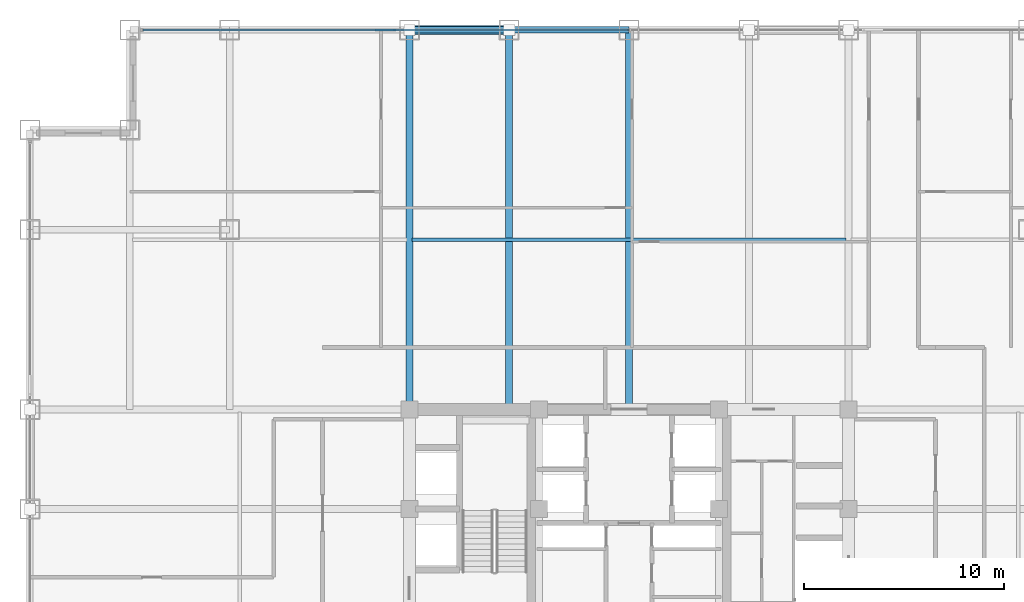
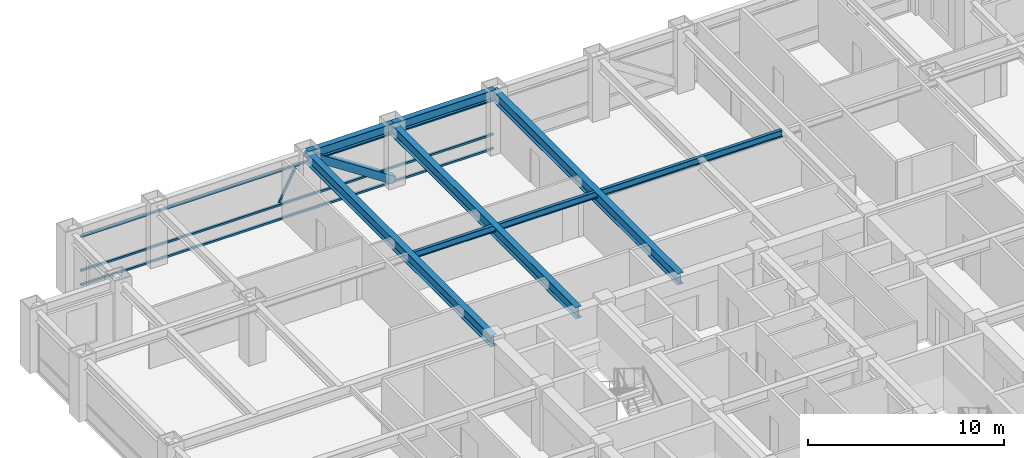
# One storey, part 15 of 25: 6 beams, 5 members, 1 element without a shape of its own.
"""IFC4 building model written with IfcOpenShell, lengths in metres."""

import ifcopenshell
import ifcopenshell.guid

model = None  # the IFC model being written
_history = None  # IfcOwnerHistory: only IFC2X3 demands one
_inside = {}  # id of a spatial element -> (the spatial element, [elements in it])
_under = {}  # id of a project, library or spatial element -> (it, [spatial elements below it])
_declared = {}  # id of a project -> (the project, [libraries it declares])
_typed = {}  # id of a type object -> (the type object, [elements of that type])
_made_of = {}  # id of a material, layer set ... -> (it, [elements and type objects made of it])


def new_model(schema):
    """Start an empty IFC model of exactly this schema.

    Asked for "IFC4X3", IfcOpenShell would pick the latest addendum, in which some entities
    have other attributes; the version numbers below select the first issue.
    IFC2X3 requires an IfcOwnerHistory on every rooted entity: one is made here for all.
    """
    global model, _history
    if schema == "IFC4X3":
        model = ifcopenshell.file(schema_version=(4, 3, 0, 0))
    else:
        model = ifcopenshell.file(schema=schema)
    _inside.clear()
    _under.clear()
    _declared.clear()
    _typed.clear()
    _made_of.clear()
    _history = None
    if model.schema == "IFC2X3":
        org = make("IfcOrganization", Name="unknown")
        user = make(
            "IfcPersonAndOrganization",
            ThePerson=make("IfcPerson", FamilyName="unknown"),
            TheOrganization=org,
        )
        app = make(
            "IfcApplication",
            ApplicationDeveloper=org,
            Version="unknown",
            ApplicationFullName="unknown",
            ApplicationIdentifier="unknown",
        )
        _history = make(
            "IfcOwnerHistory",
            OwningUser=user,
            OwningApplication=app,
            ChangeAction="ADDED",
            CreationDate=0,
        )
    return model


def make(cls, **values):
    """One entity of the class cls with the attributes given. An attribute that is None is left unset."""
    return model.create_entity(
        cls, **{name: value for name, value in values.items() if value is not None}
    )


def rooted(cls, **values):
    """An entity with a GlobalId (a new one), such as an element, a storey or a relation."""
    return make(cls, GlobalId=ifcopenshell.guid.new(), OwnerHistory=_history, **values)


def si_unit(unit_type, name, prefix=None):
    """IfcSIUnit, for example si_unit("LENGTHUNIT", "METRE", prefix="MILLI")."""
    return make("IfcSIUnit", UnitType=unit_type, Prefix=prefix, Name=name)


def assignment(units):
    """IfcUnitAssignment: the units of a project."""
    return None if units is None else make("IfcUnitAssignment", Units=units)


def point(xyz):
    """IfcCartesianPoint."""
    return None if xyz is None else make("IfcCartesianPoint", Coordinates=xyz)


def direction(xyz):
    """IfcDirection."""
    return None if xyz is None else make("IfcDirection", DirectionRatios=xyz)


def frame(location, z_axis=None, x_axis=None):
    """IfcAxis2Placement3D, a coordinate frame: its origin and axes. An axis left out is left unset."""
    return make(
        "IfcAxis2Placement3D",
        Location=point(location),
        Axis=direction(z_axis),
        RefDirection=direction(x_axis),
    )


def frame_2d(location, x_axis=None):
    """IfcAxis2Placement2D, a coordinate frame in the plane: its origin and x axis."""
    return make(
        "IfcAxis2Placement2D", Location=point(location), RefDirection=direction(x_axis)
    )


def origin():
    """The frame at (0, 0, 0) with its axes left unset."""
    return frame((0.0, 0.0, 0.0))


def origin_2d():
    """The frame at (0, 0) in the plane with its x axis left unset."""
    return frame_2d((0.0, 0.0))


def place(relative_to, where):
    """IfcLocalPlacement: puts the frame where relative to a parent placement (None: the world)."""
    return make(
        "IfcLocalPlacement", PlacementRelTo=relative_to, RelativePlacement=where
    )


def context(
    kind, dimensions, precision=None, world=None, true_north=None, identifier=None
):
    """IfcGeometricRepresentationContext, for example the 3D "Model" context."""
    return make(
        "IfcGeometricRepresentationContext",
        ContextIdentifier=identifier,
        ContextType=kind,
        CoordinateSpaceDimension=dimensions,
        Precision=precision,
        WorldCoordinateSystem=world,
        TrueNorth=true_north,
    )


def subcontext(parent, identifier, kind, view, scale=None):
    """IfcGeometricRepresentationSubContext, for example "Body" below "Model"."""
    return make(
        "IfcGeometricRepresentationSubContext",
        ContextIdentifier=identifier,
        ContextType=kind,
        ParentContext=parent,
        TargetScale=scale,
        TargetView=view,
    )


def project(units=None, contexts=None):
    """IfcProject with its units and contexts."""
    return rooted(
        "IfcProject",
        Name="project",
        RepresentationContexts=contexts,
        UnitsInContext=assignment(units),
    )


def spatial(cls, under=None, at=None, **own):
    """A site, building, storey or space (cls), placed at a placement, below another one or the project."""
    s = rooted(cls, ObjectPlacement=at, **own)
    if under is not None:
        _under.setdefault(under.id(), (under, []))[1].append(s)
    return s


def profile(cls, at=None, kind="AREA", **sizes):
    """A parametric profile (cls). Its sizes go by their IFC names, for example OverallWidth=200.0."""
    return make(cls, ProfileType=kind, Position=at, **sizes)


def hollow_rectangle(**sizes):
    """IfcRectangleHollowProfileDef."""
    return profile("IfcRectangleHollowProfileDef", **sizes)


def i_section(**sizes):
    """IfcIShapeProfileDef."""
    return profile("IfcIShapeProfileDef", **sizes)


def extrude(swept, where, along, depth):
    """IfcExtrudedAreaSolid: the profile swept, set in the frame where, extruded along a direction by depth."""
    return make(
        "IfcExtrudedAreaSolid",
        SweptArea=swept,
        Position=where,
        ExtrudedDirection=direction(along),
        Depth=depth,
    )


def shape(context_of_items, identifier, shape_type, items):
    """IfcShapeRepresentation: the items that make up one representation, for example the "Body"."""
    return make(
        "IfcShapeRepresentation",
        ContextOfItems=context_of_items,
        RepresentationIdentifier=identifier,
        RepresentationType=shape_type,
        Items=items,
    )


def source(mapping_origin, context_of_items, identifier, shape_type, items):
    """IfcRepresentationMap: a shape defined once, which mapped items show again and again."""
    return make(
        "IfcRepresentationMap",
        MappingOrigin=mapping_origin,
        MappedRepresentation=shape(context_of_items, identifier, shape_type, items),
    )


def transform(
    local_origin,
    x_axis=None,
    y_axis=None,
    z_axis=None,
    scale=None,
    scale2=None,
    scale3=None,
    uniform=True,
):
    """IfcCartesianTransformationOperator3D, or its non-uniform kind. x_axis, y_axis, z_axis: its Axis1, 2, 3."""
    if uniform:
        return make(
            "IfcCartesianTransformationOperator3D",
            Axis1=direction(x_axis),
            Axis2=direction(y_axis),
            LocalOrigin=point(local_origin),
            Scale=scale,
            Axis3=direction(z_axis),
        )
    return make(
        "IfcCartesianTransformationOperator3DnonUniform",
        Axis1=direction(x_axis),
        Axis2=direction(y_axis),
        LocalOrigin=point(local_origin),
        Scale=scale,
        Axis3=direction(z_axis),
        Scale2=scale2,
        Scale3=scale3,
    )


def mapped(mapping_source, mapping_target):
    """IfcMappedItem: shows the shape of a source again, moved by a transform."""
    return make(
        "IfcMappedItem", MappingSource=mapping_source, MappingTarget=mapping_target
    )


def material(Name=None, Category=None):
    """IfcMaterial."""
    return make("IfcMaterial", Name=Name, Category=Category)


def material_profile(
    of_material, cross_section, Name=None, Category=None, Priority=None
):
    """IfcMaterialProfile: a cross section and its material."""
    return make(
        "IfcMaterialProfile",
        Name=Name,
        Material=of_material,
        Profile=cross_section,
        Priority=Priority,
        Category=Category,
    )


def profile_set(profiles, Name=None, composite=None):
    """IfcMaterialProfileSet."""
    return make(
        "IfcMaterialProfileSet",
        Name=Name,
        MaterialProfiles=profiles,
        CompositeProfile=composite,
    )


def made_of(thing, what):
    """Note that an element or type object is made of a material, layer set ...; save() writes the relation."""
    if what is not None:
        _made_of.setdefault(what.id(), (what, []))[1].append(thing)
    return thing


def type_object(cls, material=None, **own):
    """A type object (cls), such as IfcWallType, which elements share."""
    return made_of(rooted(cls, **own), material)


def element(
    cls,
    number,
    at=None,
    inside=None,
    cuts=None,
    type_object=None,
    material=None,
    context=None,
    identifier="Body",
    shape_type=None,
    held_by="IfcProductDefinitionShape",
    body=None,
    shapes=None,
    **own,
):
    """One element of the class cls, such as IfcWall. Its Tag is "e" and its number.

    at: its placement. inside: the storey or other place that contains it. cuts: it is an
    opening in that element (IfcRelVoidsElement). A single representation is given by context,
    identifier, shape_type and body (its items); several are given by shapes. held_by: the class
    of the entity that holds the representations. save() writes the other relations.
    """
    e = rooted(cls, Tag="e%d" % number, ObjectPlacement=at, **own)
    if body is not None:
        shapes = [shape(context, identifier, shape_type, body)]
    if shapes is not None:
        e.Representation = make(held_by, Representations=shapes)
    if inside is not None:
        _inside.setdefault(inside.id(), (inside, []))[1].append(e)
    if cuts is not None:
        rooted(
            "IfcRelVoidsElement", RelatingBuildingElement=cuts, RelatedOpeningElement=e
        )
    if type_object is not None:
        _typed.setdefault(type_object.id(), (type_object, []))[1].append(e)
    return made_of(e, material)


def aggregate(whole, parts):
    """IfcRelAggregates: a whole, such as a stair, and the parts it consists of."""
    return rooted("IfcRelAggregates", RelatingObject=whole, RelatedObjects=parts)


def save(model, path):
    """Write the relations noted so far, then the file.

    IfcRelAggregates (storeys below a building ...), IfcRelContainedInSpatialStructure (elements
    in a storey), IfcRelDefinesByType, IfcRelAssociatesMaterial and IfcRelDeclares: one each for
    every whole, place, type object, material and project.
    """
    for whole, parts in _under.values():
        aggregate(whole, parts)
    for where, things in _inside.values():
        rooted(
            "IfcRelContainedInSpatialStructure",
            RelatedElements=things,
            RelatingStructure=where,
        )
    for kind, things in _typed.values():
        rooted("IfcRelDefinesByType", RelatedObjects=things, RelatingType=kind)
    for what, things in _made_of.values():
        rooted("IfcRelAssociatesMaterial", RelatedObjects=things, RelatingMaterial=what)
    for by, libraries in _declared.values():
        rooted("IfcRelDeclares", RelatingContext=by, RelatedDefinitions=libraries)
    model.write(path)


model = new_model("IFC4")

# Units and contexts
model_context = context("Model", 3, precision=1e-05, world=origin(), true_north=direction((0.0, 1.0)))
body_context = subcontext(model_context, "Body", "Model", "MODEL_VIEW")
ifc_project = project(units=[si_unit("LENGTHUNIT", "METRE"), si_unit("AREAUNIT", "SQUARE_METRE"), si_unit("VOLUMEUNIT", "CUBIC_METRE"), si_unit("PLANEANGLEUNIT", "RADIAN"), si_unit("MASSUNIT", "GRAM", prefix="KILO")], contexts=[model_context])

# Site, building, storey
site_placement = place(None, origin())
site = spatial("IfcSite", under=ifc_project, at=site_placement, CompositionType="ELEMENT")
building_placement = place(site_placement, origin())
building = spatial("IfcBuilding", under=site, at=building_placement, Name="Khorayat Bourse Tower", CompositionType="ELEMENT")
storey_placement = place(building_placement, frame((0.0, 0.0, 223.10009765625)))
storey = spatial("IfcBuildingStorey", under=building, at=storey_placement, Name="L52", CompositionType="ELEMENT", Elevation=223.10009765625)

# Beams
ifc_material_1 = material(Name="Steel ASTM A992 Grade 50", Category="steel")
ifc_material_profile_1 = material_profile(ifc_material_1, i_section(OverallWidth=0.180908203125, OverallDepth=0.4169921875, WebThickness=0.010986328125, FlangeThickness=0.018310546875, FilletRadius=0.011962890625, at=origin_2d()), Name="W410X85")
ifc_profile_set_1 = profile_set([ifc_material_profile_1], Name="Steel ASTM A992 Grade 50")
beam_type_1 = type_object("IfcBeamType", Name="BM-JOIST-410", PredefinedType="JOIST", material=ifc_profile_set_1)
shared_shape_1 = source(origin(), body_context, "Body", "SweptSolid", [
    extrude(i_section(OverallWidth=0.180908203125, OverallDepth=0.4169921875, WebThickness=0.010986328125, FlangeThickness=0.018310546875, FilletRadius=0.011962890625, at=origin_2d()), origin(), (0.0, 0.0, 1.0), 21.740234375),
])
beam_1_placement = place(storey_placement, frame((-10.8701171875, 19.5, 3.5712890625), z_axis=(1.0, 0.0, 0.0), x_axis=(0.0, 1.0, 0.0)))
element("IfcBeam", 1, at=beam_1_placement, inside=storey, type_object=beam_type_1, Name="L52 BM-JOIST-410 BM-L52-JSTX-100", PredefinedType="JOIST", context=body_context, shape_type="MappedRepresentation", body=[
    mapped(shared_shape_1, transform((0.0, 0.0, 0.0), scale=1.0)),
])
ifc_material_profile_2 = material_profile(ifc_material_1, i_section(OverallWidth=0.324951171875, OverallDepth=0.615966796875, WebThickness=0.013916015625, FlangeThickness=0.021484375, FilletRadius=0.01611328125, at=origin_2d()), Name="W610X174")
ifc_profile_set_2 = profile_set([ifc_material_profile_2], Name="Steel ASTM A992 Grade 50")
beam_type_2 = type_object("IfcBeamType", Name="BM-SPAN-610", PredefinedType="SPANDREL", material=ifc_profile_set_2)
shared_shape_2 = source(origin(), body_context, "Body", "SweptSolid", [
    extrude(i_section(OverallWidth=0.324951171875, OverallDepth=0.615966796875, WebThickness=0.013916015625, FlangeThickness=0.021484375, FilletRadius=0.01611328125, at=origin_2d()), origin(), (0.0, 0.0, 1.0), 5.0),
])
beam_2_placement = place(storey_placement, frame((-11.0, 30.0, 3.471923828125), z_axis=(1.0, 0.0, 0.0), x_axis=(0.0, 1.0, 0.0)))
element("IfcBeam", 2, at=beam_2_placement, inside=storey, type_object=beam_type_2, Name="L52 BM-SPAN-610 BM-L52-SPN-049", PredefinedType="SPANDREL", context=body_context, shape_type="MappedRepresentation", body=[
    mapped(shared_shape_2, transform((0.0, 0.0, 0.0), scale=1.0)),
])
shared_shape_3 = source(origin(), body_context, "Body", "SweptSolid", [
    extrude(i_section(OverallWidth=0.324951171875, OverallDepth=0.615966796875, WebThickness=0.013916015625, FlangeThickness=0.021484375, FilletRadius=0.01611328125, at=origin_2d()), origin(), (0.0, 0.0, 1.0), 6.0),
])
beam_3_placement = place(storey_placement, frame((-6.0, 30.0, 3.471923828125), z_axis=(1.0, 0.0, 0.0), x_axis=(0.0, 1.0, 0.0)))
element("IfcBeam", 3, at=beam_3_placement, inside=storey, type_object=beam_type_2, Name="L52 BM-SPAN-610 BM-L52-SPN-048", PredefinedType="SPANDREL", context=body_context, shape_type="MappedRepresentation", body=[
    mapped(shared_shape_3, transform((0.0, 0.0, 0.0), scale=1.0)),
])
ifc_material_profile_3 = material_profile(ifc_material_1, i_section(OverallWidth=0.35498046875, OverallDepth=0.695068359375, WebThickness=0.015380859375, FlangeThickness=0.02490234375, FilletRadius=0.01806640625, at=origin_2d()), Name="W690X217")
ifc_profile_set_3 = profile_set([ifc_material_profile_3], Name="Steel ASTM A992 Grade 50")
beam_type_3 = type_object("IfcBeamType", Name="BM-GIRD-690", PredefinedType="BEAM", material=ifc_profile_set_3)
shared_shape_4 = source(origin(), body_context, "Body", "SweptSolid", [
    extrude(i_section(OverallWidth=0.35498046875, OverallDepth=0.695068359375, WebThickness=0.015380859375, FlangeThickness=0.02490234375, FilletRadius=0.01806640625, at=origin_2d()), origin(), (0.0, 0.0, 1.0), 19.0),
])
for number, where, z_axis, x_axis, name in (
    (4, (-11.0, 11.0, 3.432373046875), (0.0, 1.0, 0.0), (-1.0, 0.0, 0.0), "L52 BM-GIRD-690 BM-L52-RADY-064"),
    (5, (-6.0, 11.0, 3.432373046875), (0.0, 1.0, 0.0), (-1.0, 0.0, 0.0), "L52 BM-GIRD-690 BM-L52-RADY-066"),
    (6, (0.0, 11.0, 3.432373046875), (0.0, 1.0, 0.0), (-1.0, 0.0, 0.0), "L52 BM-GIRD-690 BM-L52-RADY-068"),
):
    element("IfcBeam", number, at=place(storey_placement, frame(where, z_axis=z_axis, x_axis=x_axis)), inside=storey, type_object=beam_type_3, Name=name, PredefinedType="BEAM", context=body_context, shape_type="MappedRepresentation", body=[
        mapped(shared_shape_4, transform((0.0, 0.0, 0.0), scale=1.0)),
    ])

# Member
ifc_material_2 = material(Name="Steel EN 10025-4 S460M", Category="steel")
ifc_material_profile_4 = material_profile(ifc_material_2, hollow_rectangle(XDim=0.449951171875, YDim=0.449951171875, WallThickness=0.02490234375, at=origin_2d()), Name="HSS 450x450x25")
ifc_profile_set_4 = profile_set([ifc_material_profile_4], Name="Steel EN 10025-4 S460M")
member_type_1 = type_object("IfcMemberType", Name="MBR-TUBE-450", PredefinedType="BRACE", material=ifc_profile_set_4)
shared_shape_5 = source(origin(), body_context, "Body", "SweptSolid", [
    extrude(hollow_rectangle(XDim=0.449951171875, YDim=0.449951171875, WallThickness=0.02490234375, at=origin_2d()), origin(), (0.0, 0.0, 1.0), 5.979736328125),
])
member_1_placement = place(storey_placement, frame((-11.0, 30.0, 3.52978515625), z_axis=(0.836160261256, 0.0, -0.548485202623), x_axis=(0.0, 1.0, 0.0)))
element("IfcMember", 7, at=member_1_placement, inside=storey, type_object=member_type_1, Name="L52 Perimeter Tube Brace 03", PredefinedType="BRACE", context=body_context, shape_type="MappedRepresentation", body=[
    mapped(shared_shape_5, transform((0.0, 0.0, 0.0), scale=1.0)),
])

# Curtain wall, members
ifc_material_3 = material(Name="Aluminium EN AW-6063 T6", Category="aluminium")
curtain_wall_type = type_object("IfcCurtainWallType", Name="CW-SYS-03", PredefinedType="NOTDEFINED", material=ifc_material_3)
curtain_wall_placement = place(storey_placement, origin())
curtain_wall = element("IfcCurtainWall", 8, at=curtain_wall_placement, inside=storey, type_object=curtain_wall_type, Name="L52 Curtain Wall CW-L52-N1", PredefinedType="NOTDEFINED")
ifc_material_profile_5 = material_profile(ifc_material_3, hollow_rectangle(XDim=0.1201171875, YDim=0.1201171875, WallThickness=0.0048828125, at=origin_2d()), Name="ALU 120x120x5")
ifc_profile_set_5 = profile_set([ifc_material_profile_5], Name="Aluminium EN AW-6063 T6")
member_type_2 = type_object("IfcMemberType", Name="CWM-DIAG-120", PredefinedType="MULLION", material=ifc_profile_set_5)
shared_shape_6 = source(origin(), body_context, "Body", "SweptSolid", [
    extrude(hollow_rectangle(XDim=0.1201171875, YDim=0.1201171875, WallThickness=0.0048828125, at=origin_2d()), origin(), (0.0, 0.0, 1.0), 2.079345703125),
])
member_2_placement = place(storey_placement, frame((-12.67919921875, 30.0, 1.08984375), z_axis=(0.465760949701, 0.0, 0.884910581773), x_axis=(0.0, 1.0, 0.0)))
member_2 = element("IfcMember", 9, at=member_2_placement, type_object=member_type_2, Name="CW-L52-N1 Faceted Diagonal Mullion 1", PredefinedType="MULLION", context=body_context, shape_type="MappedRepresentation", body=[
    mapped(shared_shape_6, transform((0.0, 0.0, 0.0), scale=1.0)),
])
ifc_material_profile_6 = material_profile(ifc_material_3, hollow_rectangle(XDim=0.1201171875, YDim=0.1201171875, WallThickness=0.0048828125, at=origin_2d()), Name="ALU 120x120x5")
ifc_profile_set_6 = profile_set([ifc_material_profile_6], Name="Aluminium EN AW-6063 T6")
member_type_3 = type_object("IfcMemberType", Name="CWT-HORZ-120", PredefinedType="USERDEFINED", material=ifc_profile_set_6)
shared_shape_7 = source(origin(), body_context, "Body", "SweptSolid", [
    extrude(hollow_rectangle(XDim=0.1201171875, YDim=0.1201171875, WallThickness=0.0048828125, at=origin_2d()), origin(), (0.0, 0.0, 1.0), 24.27001953125),
])
member_3_placement = place(storey_placement, frame((-24.330078125, 30.0, 0.059814453125), z_axis=(1.0, 0.0, 0.0), x_axis=(0.0, 1.0, 0.0)))
member_3 = element("IfcMember", 10, at=member_3_placement, type_object=member_type_3, Name="CW-L52-N1 Horizontal Transom 1-1", ObjectType="TRANSOM", PredefinedType="USERDEFINED", context=body_context, shape_type="MappedRepresentation", body=[
    mapped(shared_shape_7, transform((0.0, 0.0, 0.0), scale=1.0)),
])
member_4_placement = place(storey_placement, frame((-24.330078125, 30.0, 0.949951171875), z_axis=(1.0, 0.0, 0.0), x_axis=(0.0, 1.0, 0.0)))
member_4 = element("IfcMember", 11, at=member_4_placement, type_object=member_type_3, Name="CW-L52-N1 Horizontal Transom 1-2", ObjectType="TRANSOM", PredefinedType="USERDEFINED", context=body_context, shape_type="MappedRepresentation", body=[
    mapped(shared_shape_7, transform((0.0, 0.0, 0.0), scale=1.0)),
])
member_5_placement = place(storey_placement, frame((-24.330078125, 30.0, 3.06982421875), z_axis=(1.0, 0.0, 0.0), x_axis=(0.0, 1.0, 0.0)))
member_5 = element("IfcMember", 12, at=member_5_placement, type_object=member_type_3, Name="CW-L52-N1 Horizontal Transom 1-3", ObjectType="TRANSOM", PredefinedType="USERDEFINED", context=body_context, shape_type="MappedRepresentation", body=[
    mapped(shared_shape_7, transform((0.0, 0.0, 0.0), scale=1.0)),
])
aggregate(curtain_wall, [member_3, member_4, member_5, member_2])

save(model, "model.ifc")
